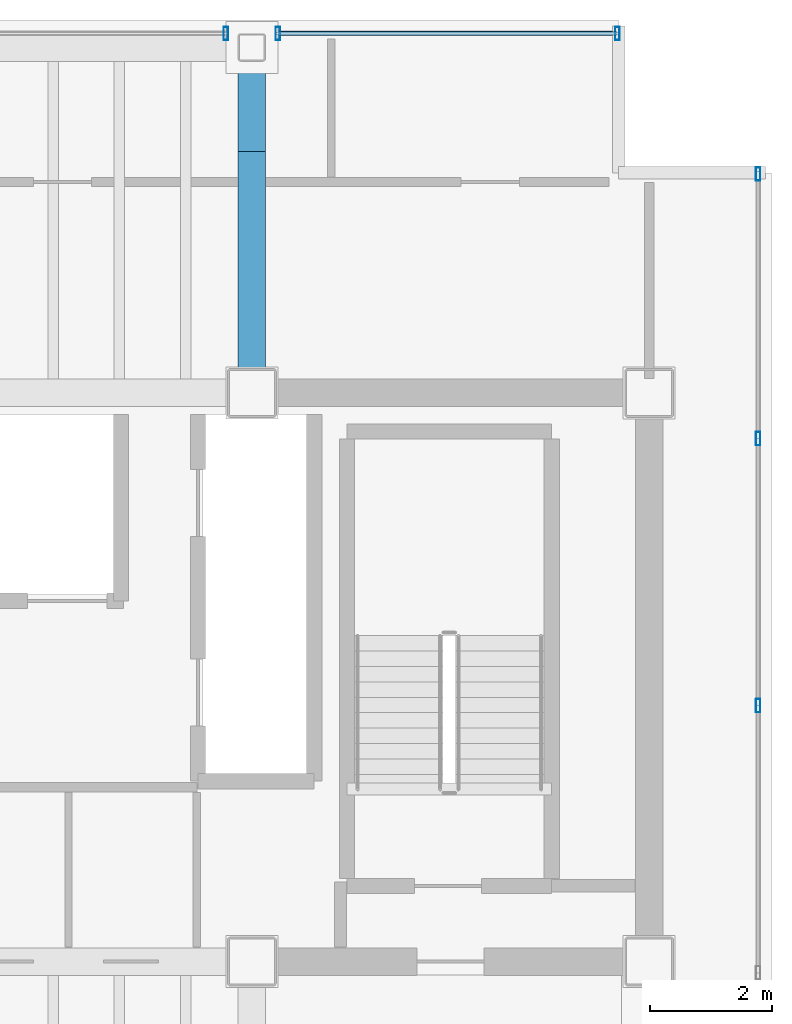
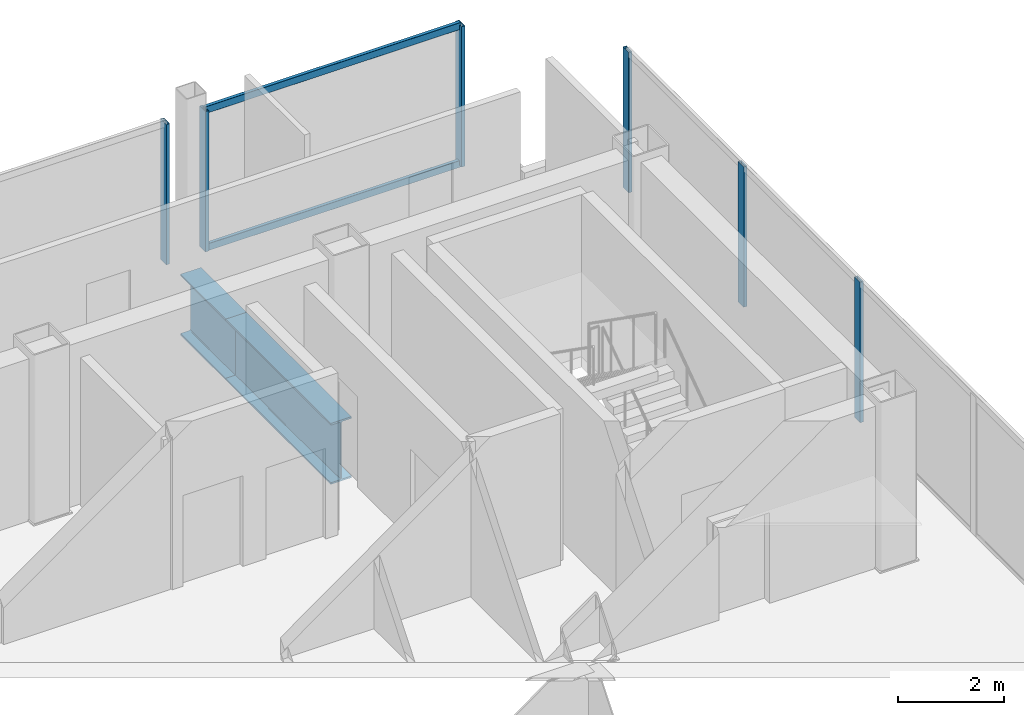
# One storey, part 15 of 19: 8 members, 2 beams, 3 elements without a shape of their own.
"""IFC4 building model written with IfcOpenShell, lengths in metres."""

from ifc_helpers import new_model, si_unit, direction, frame, origin, origin_2d, place, context, subcontext, project, spatial, hollow_rectangle, i_section, extrude, material, material_profile, profile_set, type_object, element, aggregate, save


model = new_model("IFC4")

# Units and contexts
model_context = context("Model", 3, precision=1e-05, world=origin(), true_north=direction((0.0, 1.0)))
body_context = subcontext(model_context, "Body", "Model", "MODEL_VIEW")
ifc_project = project(units=[si_unit("LENGTHUNIT", "METRE"), si_unit("AREAUNIT", "SQUARE_METRE"), si_unit("VOLUMEUNIT", "CUBIC_METRE"), si_unit("PLANEANGLEUNIT", "RADIAN"), si_unit("MASSUNIT", "GRAM", prefix="KILO")], contexts=[model_context])

# Site, building, storey
site_placement = place(None, origin())
site = spatial("IfcSite", under=ifc_project, at=site_placement, CompositionType="ELEMENT")
building_placement = place(site_placement, origin())
building = spatial("IfcBuilding", under=site, at=building_placement, Name="Noeulbin Bourse Tower", CompositionType="ELEMENT")
storey_placement = place(building_placement, frame((0.0, 0.0, 257.89990234375)))
storey = spatial("IfcBuildingStorey", under=building, at=storey_placement, Name="L64", CompositionType="ELEMENT", Elevation=257.89990234375)

# Beams
ifc_material_1 = material(Name="Steel S460", Category="steel")
ifc_material_profile_1 = material_profile(ifc_material_1, i_section(OverallWidth=0.449951171875, OverallDepth=1.39990234375, WebThickness=0.02392578125, FlangeThickness=0.0400390625, FilletRadius=0.02392578125, at=origin_2d()), Name="PG-1400x450x24x40", Category="LoadBearing")
ifc_profile_set_1 = profile_set([ifc_material_profile_1], Name="Steel S460")
beam_type = type_object("IfcBeamType", Name="BM-TRF-1400", PredefinedType="USERDEFINED", material=ifc_profile_set_1)
beam_1_placement = place(storey_placement, frame((37.5, 38.300048828125, -0.93994140625), z_axis=(0.0, 1.0, 0.0), x_axis=(-1.0, 0.0, 0.0)))
element("IfcBeam", 1, at=beam_1_placement, inside=storey, type_object=beam_type, Name="Tower Primary Girder NS L64-4.4", ObjectType="GIRDER", PredefinedType="USERDEFINED", context=body_context, shape_type="SweptSolid", body=[
    extrude(i_section(OverallWidth=0.449951171875, OverallDepth=1.39990234375, WebThickness=0.02392578125, FlangeThickness=0.0400390625, FilletRadius=0.02392578125, at=origin_2d()), origin(), (0.0, 0.0, 1.0), 3.949951171875),
])
beam_2_placement = place(storey_placement, frame((37.5, 42.25, -0.93994140625), z_axis=(0.0, 1.0, 0.0), x_axis=(-1.0, 0.0, 0.0)))
element("IfcBeam", 2, at=beam_2_placement, inside=storey, type_object=beam_type, Name="Tower Primary Girder NS L64-4.5", ObjectType="GIRDER", PredefinedType="USERDEFINED", context=body_context, shape_type="SweptSolid", body=[
    extrude(i_section(OverallWidth=0.449951171875, OverallDepth=1.39990234375, WebThickness=0.02392578125, FlangeThickness=0.0400390625, FilletRadius=0.02392578125, at=origin_2d()), origin(), (0.0, 0.0, 1.0), 1.699951171875),
])

# Curtain wall, member
ifc_material_2 = material(Name="High-Selectivity Low-Iron Glazing", Category="glass")
curtain_wall_type = type_object("IfcCurtainWallType", Name="CW-SYS-4", PredefinedType="NOTDEFINED", material=ifc_material_2)
curtain_wall_1_placement = place(storey_placement, origin())
curtain_wall_1 = element("IfcCurtainWall", 3, at=curtain_wall_1_placement, inside=storey, type_object=curtain_wall_type, Name="Unitised Curtain Wall CW-L64-N-S4", PredefinedType="NOTDEFINED")
ifc_material_3 = material(Name="Anodised Aluminium 6063-T6", Category="aluminium")
ifc_material_profile_2 = material_profile(ifc_material_3, hollow_rectangle(XDim=0.074951171875, YDim=0.219970703125, WallThickness=0.0048828125, InnerFilletRadius=0.00244140625, OuterFilletRadius=0.0048828125, at=origin_2d()), Name="ALU-MULL-75x220x5", Category="LoadBearing")
ifc_profile_set_2 = profile_set([ifc_material_profile_2], Name="Anodised Aluminium 6063-T6")
member_type_1 = type_object("IfcMemberType", Name="CW-SYS-4-MUL", PredefinedType="MULLION", material=ifc_profile_set_2)
member_1_placement = place(storey_placement, frame((37.074951171875, 44.179931640625, -0.02001953125), z_axis=(0.0, 0.0, 1.0), x_axis=(1.0, 0.0, 0.0)))
member_1 = element("IfcMember", 4, at=member_1_placement, type_object=member_type_1, Name="Curtain Wall Mullion CW-L64-N-S4-M01", PredefinedType="MULLION", context=body_context, shape_type="SweptSolid", body=[
    extrude(hollow_rectangle(XDim=0.074951171875, YDim=0.219970703125, WallThickness=0.0048828125, InnerFilletRadius=0.00244140625, OuterFilletRadius=0.0048828125, at=origin_2d()), origin(), (0.0, 0.0, 1.0), 3.22021484375),
])
aggregate(curtain_wall_1, [member_1])

# Curtain wall, members
curtain_wall_2_placement = place(storey_placement, origin())
curtain_wall_2 = element("IfcCurtainWall", 5, at=curtain_wall_2_placement, inside=storey, type_object=curtain_wall_type, Name="Unitised Curtain Wall CW-L64-N-S5", PredefinedType="NOTDEFINED")
member_2_placement = place(storey_placement, frame((37.925048828125, 44.179931640625, -0.02001953125), z_axis=(0.0, 0.0, 1.0), x_axis=(1.0, 0.0, 0.0)))
member_2 = element("IfcMember", 6, at=member_2_placement, type_object=member_type_1, Name="Curtain Wall Mullion CW-L64-N-S5-M00", PredefinedType="MULLION", context=body_context, shape_type="SweptSolid", body=[
    extrude(hollow_rectangle(XDim=0.074951171875, YDim=0.219970703125, WallThickness=0.0048828125, InnerFilletRadius=0.00244140625, OuterFilletRadius=0.0048828125, at=origin_2d()), origin(), (0.0, 0.0, 1.0), 3.22021484375),
])
member_3_placement = place(storey_placement, frame((43.47998046875, 44.179931640625, -0.02001953125), z_axis=(0.0, 0.0, 1.0), x_axis=(1.0, 0.0, 0.0)))
member_3 = element("IfcMember", 7, at=member_3_placement, type_object=member_type_1, Name="Curtain Wall Mullion CW-L64-N-S5-M01", PredefinedType="MULLION", context=body_context, shape_type="SweptSolid", body=[
    extrude(hollow_rectangle(XDim=0.074951171875, YDim=0.219970703125, WallThickness=0.0048828125, InnerFilletRadius=0.00244140625, OuterFilletRadius=0.0048828125, at=origin_2d()), origin(), (0.0, 0.0, 1.0), 3.22021484375),
])

curtain_wall_3_placement = place(storey_placement, origin())
curtain_wall_3 = element("IfcCurtainWall", 8, at=curtain_wall_3_placement, inside=storey, type_object=curtain_wall_type, Name="Unitised Curtain Wall CW-L64-E", PredefinedType="NOTDEFINED")
member_4_placement = place(storey_placement, frame((45.780029296875, 33.18408203125, -0.02001953125), z_axis=(0.0, 0.0, 1.0), x_axis=(1.0, 0.0, 0.0)))
member_4 = element("IfcMember", 9, at=member_4_placement, type_object=member_type_1, Name="Curtain Wall Mullion CW-L64-E-M03", PredefinedType="MULLION", context=body_context, shape_type="SweptSolid", body=[
    extrude(hollow_rectangle(XDim=0.074951171875, YDim=0.219970703125, WallThickness=0.0048828125, InnerFilletRadius=0.00244140625, OuterFilletRadius=0.0048828125, at=origin_2d()), origin(), (0.0, 0.0, 1.0), 3.22021484375),
])
member_5_placement = place(storey_placement, frame((45.780029296875, 37.552001953125, -0.02001953125), z_axis=(0.0, 0.0, 1.0), x_axis=(1.0, 0.0, 0.0)))
member_5 = element("IfcMember", 10, at=member_5_placement, type_object=member_type_1, Name="Curtain Wall Mullion CW-L64-E-M04", PredefinedType="MULLION", context=body_context, shape_type="SweptSolid", body=[
    extrude(hollow_rectangle(XDim=0.074951171875, YDim=0.219970703125, WallThickness=0.0048828125, InnerFilletRadius=0.00244140625, OuterFilletRadius=0.0048828125, at=origin_2d()), origin(), (0.0, 0.0, 1.0), 3.22021484375),
])
member_6_placement = place(storey_placement, frame((45.780029296875, 41.8798828125, -0.02001953125), z_axis=(0.0, 0.0, 1.0), x_axis=(1.0, 0.0, 0.0)))
member_6 = element("IfcMember", 11, at=member_6_placement, type_object=member_type_1, Name="Curtain Wall Mullion CW-L64-E-M05", PredefinedType="MULLION", context=body_context, shape_type="SweptSolid", body=[
    extrude(hollow_rectangle(XDim=0.074951171875, YDim=0.219970703125, WallThickness=0.0048828125, InnerFilletRadius=0.00244140625, OuterFilletRadius=0.0048828125, at=origin_2d()), origin(), (0.0, 0.0, 1.0), 3.22021484375),
])
aggregate(curtain_wall_3, [member_4, member_5, member_6])

# Member
ifc_material_profile_3 = material_profile(ifc_material_3, hollow_rectangle(XDim=0.074951171875, YDim=0.159912109375, WallThickness=0.0048828125, InnerFilletRadius=0.00244140625, OuterFilletRadius=0.0048828125, at=origin_2d()), Name="ALU-TRAN-75x160x5", Category="LoadBearing")
ifc_profile_set_3 = profile_set([ifc_material_profile_3], Name="Anodised Aluminium 6063-T6")
member_type_2 = type_object("IfcMemberType", Name="CW-SYS-4-TRN", PredefinedType="USERDEFINED", material=ifc_profile_set_3)
member_7_placement = place(storey_placement, frame((37.93505859375, 44.179931640625, 0.010009765625), z_axis=(1.0, 0.0, 0.0), x_axis=(0.0, 1.0, 0.0)))
member_7 = element("IfcMember", 12, at=member_7_placement, type_object=member_type_2, Name="Curtain Wall Transom CW-L64-N-S5-T00", ObjectType="TRANSOM", PredefinedType="USERDEFINED", context=body_context, shape_type="SweptSolid", body=[
    extrude(hollow_rectangle(XDim=0.074951171875, YDim=0.159912109375, WallThickness=0.0048828125, InnerFilletRadius=0.00244140625, OuterFilletRadius=0.0048828125, at=origin_2d()), origin(), (0.0, 0.0, 1.0), 5.534912109375),
])

member_8_placement = place(storey_placement, frame((37.93505859375, 44.179931640625, 3.170166015625), z_axis=(1.0, 0.0, 0.0), x_axis=(0.0, 1.0, 0.0)))
member_8 = element("IfcMember", 13, at=member_8_placement, type_object=member_type_2, Name="Curtain Wall Transom CW-L64-N-S5-T01", ObjectType="TRANSOM", PredefinedType="USERDEFINED", context=body_context, shape_type="SweptSolid", body=[
    extrude(hollow_rectangle(XDim=0.074951171875, YDim=0.159912109375, WallThickness=0.0048828125, InnerFilletRadius=0.00244140625, OuterFilletRadius=0.0048828125, at=origin_2d()), origin(), (0.0, 0.0, 1.0), 5.534912109375),
])

aggregate(curtain_wall_2, [member_2, member_3, member_7, member_8])

save(model, "model.ifc")
